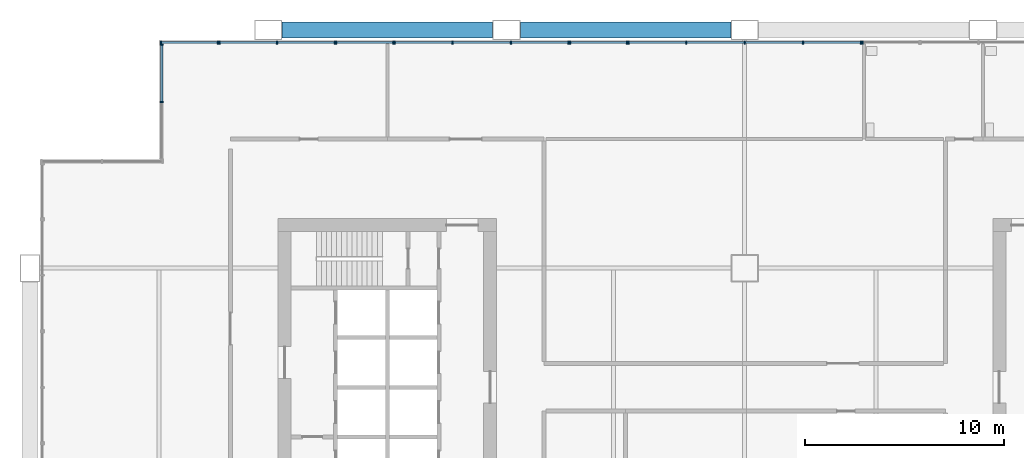
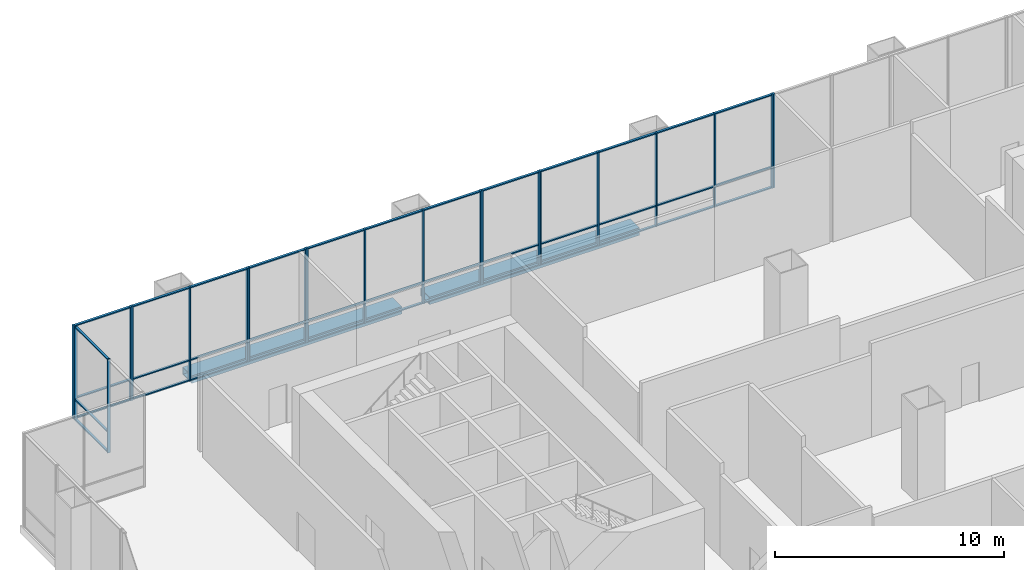
# One storey, part 8 of 20: 60 members, 2 beams, 8 elements without a shape of their own.
"""IFC4 building model written with IfcOpenShell, lengths in metres."""

from ifc_helpers import new_model, si_unit, direction, frame, origin, origin_2d, place, context, subcontext, project, spatial, rectangle, hollow_rectangle, extrude, material, material_profile, profile_set, type_object, element, aggregate, save


model = new_model("IFC4")

# Units and contexts
model_context = context("Model", 3, precision=1e-05, world=origin(), true_north=direction((0.0, 1.0)))
body_context = subcontext(model_context, "Body", "Model", "MODEL_VIEW")
ifc_project = project(units=[si_unit("LENGTHUNIT", "METRE"), si_unit("AREAUNIT", "SQUARE_METRE"), si_unit("VOLUMEUNIT", "CUBIC_METRE"), si_unit("PLANEANGLEUNIT", "RADIAN"), si_unit("MASSUNIT", "GRAM", prefix="KILO")], contexts=[model_context])

# Site, building, storey
site_placement = place(None, origin())
site = spatial("IfcSite", under=ifc_project, at=site_placement, CompositionType="ELEMENT")
building_placement = place(site_placement, origin())
building = spatial("IfcBuilding", under=site, at=building_placement, Name="Kitamizu Gate Tower and Museum", CompositionType="ELEMENT")
storey_placement = place(building_placement, frame((0.0, 0.0, 148.35009765625)))
storey = spatial("IfcBuildingStorey", under=building, at=storey_placement, Name="L39", CompositionType="ELEMENT", Elevation=148.35009765625)

# Beams
ifc_material_1 = material(Name="Steel SM490A bronze coated", Category="steel")
ifc_material_profile_1 = material_profile(ifc_material_1, hollow_rectangle(XDim=0.800048828125, YDim=0.39990234375, WallThickness=0.0400390625, at=origin_2d()), Name="BOX 800x400x40")
ifc_profile_set_1 = profile_set([ifc_material_profile_1], Name="Steel SM490A bronze coated")
beam_type = type_object("IfcBeamType", Name="Exoskeleton spandrel beam SB1 BOX 800x400x40", PredefinedType="SPANDREL", material=ifc_profile_set_1)
for number, where, z_axis, x_axis, name in (
    (1, (12.699951171875, 48.0, -0.2001953125), (1.0, 0.0, 0.0), (0.0, 1.0, 0.0), "Exoskeleton spandrel beam north 12 L39"),
    (2, (24.699951171875, 48.0, -0.2001953125), (1.0, 0.0, 0.0), (0.0, 1.0, 0.0), "Exoskeleton spandrel beam north 24 L39"),
):
    element("IfcBeam", number, at=place(storey_placement, frame(where, z_axis=z_axis, x_axis=x_axis)), inside=storey, type_object=beam_type, Name=name, PredefinedType="SPANDREL", context=body_context, shape_type="SweptSolid", body=[
        extrude(hollow_rectangle(XDim=0.800048828125, YDim=0.39990234375, WallThickness=0.0400390625, at=origin_2d()), origin(), (0.0, 0.0, 1.0), 10.60009765625),
    ])

# Curtain wall, members
ifc_material_2 = material(Name="Bronze anodised aluminium frame, tinted triple glazing", Category="aluminium")
curtain_wall_type_1 = type_object("IfcCurtainWallType", Name="CURTAIN WALL TYPE B SKY LOBBY", PredefinedType="NOTDEFINED", material=ifc_material_2)
curtain_wall_1_placement = place(storey_placement, origin())
curtain_wall_1 = element("IfcCurtainWall", 3, at=curtain_wall_1_placement, inside=storey, type_object=curtain_wall_type_1, Name="Curtain wall CW-B north L39 part 1", PredefinedType="NOTDEFINED")
ifc_material_3 = material(Name="Bronze anodised aluminium", Category="aluminium")
ifc_material_profile_2 = material_profile(ifc_material_3, rectangle(XDim=0.070068359375, YDim=0.14990234375, at=origin_2d()), Name="AL 70X150")
ifc_profile_set_2 = profile_set([ifc_material_profile_2], Name="Bronze anodised aluminium")
member_type_1 = type_object("IfcMemberType", Name="MULLION 70 X 150 TYPE B", PredefinedType="MULLION", material=ifc_profile_set_2)
member_1_placement = place(storey_placement, frame((6.594970703125, 47.364990234375, 0.0), z_axis=(0.0, 0.0, 1.0), x_axis=(1.0, 0.0, 0.0)))
member_1 = element("IfcMember", 4, at=member_1_placement, type_object=member_type_1, Name="CW-B mullion 1", PredefinedType="MULLION", context=body_context, shape_type="SweptSolid", body=[
    extrude(rectangle(XDim=0.070068359375, YDim=0.14990234375, at=origin_2d()), origin(), (0.0, 0.0, 1.0), 5.0),
])
member_2_placement = place(storey_placement, frame((9.468994140625, 47.364990234375, 0.0), z_axis=(0.0, 0.0, 1.0), x_axis=(1.0, 0.0, 0.0)))
member_2 = element("IfcMember", 5, at=member_2_placement, type_object=member_type_1, Name="CW-B mullion 2", PredefinedType="MULLION", context=body_context, shape_type="SweptSolid", body=[
    extrude(rectangle(XDim=0.070068359375, YDim=0.14990234375, at=origin_2d()), origin(), (0.0, 0.0, 1.0), 5.0),
])

ifc_material_4 = material(Name="Bronze anodised aluminium frame, insulated panels", Category="aluminium")
curtain_wall_type_2 = type_object("IfcCurtainWallType", Name="CURTAIN WALL TYPE B SKY LOBBY INSULATED", PredefinedType="NOTDEFINED", material=ifc_material_4)
curtain_wall_2_placement = place(storey_placement, origin())
curtain_wall_2 = element("IfcCurtainWall", 6, at=curtain_wall_2_placement, inside=storey, type_object=curtain_wall_type_2, Name="Curtain wall CW-BI north L39 part 2", PredefinedType="NOTDEFINED")
member_3_placement = place(storey_placement, frame((9.5390625, 47.364990234375, 0.0), z_axis=(0.0, 0.0, 1.0), x_axis=(1.0, 0.0, 0.0)))
member_3 = element("IfcMember", 7, at=member_3_placement, type_object=member_type_1, Name="CW-BI mullion 1", PredefinedType="MULLION", context=body_context, shape_type="SweptSolid", body=[
    extrude(rectangle(XDim=0.070068359375, YDim=0.14990234375, at=origin_2d()), origin(), (0.0, 0.0, 1.0), 5.0),
])
member_4_placement = place(storey_placement, frame((12.447998046875, 47.364990234375, 0.0), z_axis=(0.0, 0.0, 1.0), x_axis=(1.0, 0.0, 0.0)))
member_4 = element("IfcMember", 8, at=member_4_placement, type_object=member_type_1, Name="CW-BI mullion 2", PredefinedType="MULLION", context=body_context, shape_type="SweptSolid", body=[
    extrude(rectangle(XDim=0.070068359375, YDim=0.14990234375, at=origin_2d()), origin(), (0.0, 0.0, 1.0), 5.0),
])
member_5_placement = place(storey_placement, frame((15.35693359375, 47.364990234375, 0.0), z_axis=(0.0, 0.0, 1.0), x_axis=(1.0, 0.0, 0.0)))
member_5 = element("IfcMember", 9, at=member_5_placement, type_object=member_type_1, Name="CW-BI mullion 3", PredefinedType="MULLION", context=body_context, shape_type="SweptSolid", body=[
    extrude(rectangle(XDim=0.070068359375, YDim=0.14990234375, at=origin_2d()), origin(), (0.0, 0.0, 1.0), 5.0),
])

curtain_wall_3_placement = place(storey_placement, origin())
curtain_wall_3 = element("IfcCurtainWall", 10, at=curtain_wall_3_placement, inside=storey, type_object=curtain_wall_type_1, Name="Curtain wall CW-B north L39 part 3", PredefinedType="NOTDEFINED")
member_6_placement = place(storey_placement, frame((15.427001953125, 47.364990234375, 0.0), z_axis=(0.0, 0.0, 1.0), x_axis=(1.0, 0.0, 0.0)))
member_6 = element("IfcMember", 11, at=member_6_placement, type_object=member_type_1, Name="CW-B mullion 1", PredefinedType="MULLION", context=body_context, shape_type="SweptSolid", body=[
    extrude(rectangle(XDim=0.070068359375, YDim=0.14990234375, at=origin_2d()), origin(), (0.0, 0.0, 1.0), 5.0),
])
member_7_placement = place(storey_placement, frame((18.301025390625, 47.364990234375, 0.0), z_axis=(0.0, 0.0, 1.0), x_axis=(1.0, 0.0, 0.0)))
member_7 = element("IfcMember", 12, at=member_7_placement, type_object=member_type_1, Name="CW-B mullion 2", PredefinedType="MULLION", context=body_context, shape_type="SweptSolid", body=[
    extrude(rectangle(XDim=0.070068359375, YDim=0.14990234375, at=origin_2d()), origin(), (0.0, 0.0, 1.0), 5.0),
])

curtain_wall_4_placement = place(storey_placement, origin())
curtain_wall_4 = element("IfcCurtainWall", 13, at=curtain_wall_4_placement, inside=storey, type_object=curtain_wall_type_2, Name="Curtain wall CW-BI north L39 part 4", PredefinedType="NOTDEFINED")
member_8_placement = place(storey_placement, frame((18.37109375, 47.364990234375, 0.0), z_axis=(0.0, 0.0, 1.0), x_axis=(1.0, 0.0, 0.0)))
member_8 = element("IfcMember", 14, at=member_8_placement, type_object=member_type_1, Name="CW-BI mullion 1", PredefinedType="MULLION", context=body_context, shape_type="SweptSolid", body=[
    extrude(rectangle(XDim=0.070068359375, YDim=0.14990234375, at=origin_2d()), origin(), (0.0, 0.0, 1.0), 5.0),
])
member_9_placement = place(storey_placement, frame((21.280029296875, 47.364990234375, 0.0), z_axis=(0.0, 0.0, 1.0), x_axis=(1.0, 0.0, 0.0)))
member_9 = element("IfcMember", 15, at=member_9_placement, type_object=member_type_1, Name="CW-BI mullion 2", PredefinedType="MULLION", context=body_context, shape_type="SweptSolid", body=[
    extrude(rectangle(XDim=0.070068359375, YDim=0.14990234375, at=origin_2d()), origin(), (0.0, 0.0, 1.0), 5.0),
])
member_10_placement = place(storey_placement, frame((24.22412109375, 47.364990234375, 0.0), z_axis=(0.0, 0.0, 1.0), x_axis=(1.0, 0.0, 0.0)))
member_10 = element("IfcMember", 16, at=member_10_placement, type_object=member_type_1, Name="CW-BI mullion 3", PredefinedType="MULLION", context=body_context, shape_type="SweptSolid", body=[
    extrude(rectangle(XDim=0.070068359375, YDim=0.14990234375, at=origin_2d()), origin(), (0.0, 0.0, 1.0), 5.0),
])
member_11_placement = place(storey_placement, frame((27.133056640625, 47.364990234375, 0.0), z_axis=(0.0, 0.0, 1.0), x_axis=(1.0, 0.0, 0.0)))
member_11 = element("IfcMember", 17, at=member_11_placement, type_object=member_type_1, Name="CW-BI mullion 4", PredefinedType="MULLION", context=body_context, shape_type="SweptSolid", body=[
    extrude(rectangle(XDim=0.070068359375, YDim=0.14990234375, at=origin_2d()), origin(), (0.0, 0.0, 1.0), 5.0),
])

curtain_wall_5_placement = place(storey_placement, origin())
curtain_wall_5 = element("IfcCurtainWall", 18, at=curtain_wall_5_placement, inside=storey, type_object=curtain_wall_type_1, Name="Curtain wall CW-B north L39 part 5", PredefinedType="NOTDEFINED")
member_12_placement = place(storey_placement, frame((27.202880859375, 47.364990234375, 0.0), z_axis=(0.0, 0.0, 1.0), x_axis=(1.0, 0.0, 0.0)))
member_12 = element("IfcMember", 19, at=member_12_placement, type_object=member_type_1, Name="CW-B mullion 1", PredefinedType="MULLION", context=body_context, shape_type="SweptSolid", body=[
    extrude(rectangle(XDim=0.070068359375, YDim=0.14990234375, at=origin_2d()), origin(), (0.0, 0.0, 1.0), 5.0),
])
member_13_placement = place(storey_placement, frame((30.076904296875, 47.364990234375, 0.0), z_axis=(0.0, 0.0, 1.0), x_axis=(1.0, 0.0, 0.0)))
member_13 = element("IfcMember", 20, at=member_13_placement, type_object=member_type_1, Name="CW-B mullion 2", PredefinedType="MULLION", context=body_context, shape_type="SweptSolid", body=[
    extrude(rectangle(XDim=0.070068359375, YDim=0.14990234375, at=origin_2d()), origin(), (0.0, 0.0, 1.0), 5.0),
])

curtain_wall_6_placement = place(storey_placement, origin())
curtain_wall_6 = element("IfcCurtainWall", 21, at=curtain_wall_6_placement, inside=storey, type_object=curtain_wall_type_2, Name="Curtain wall CW-BI north L39 part 6", PredefinedType="NOTDEFINED")
member_14_placement = place(storey_placement, frame((30.14697265625, 47.364990234375, 0.0), z_axis=(0.0, 0.0, 1.0), x_axis=(1.0, 0.0, 0.0)))
member_14 = element("IfcMember", 22, at=member_14_placement, type_object=member_type_1, Name="CW-BI mullion 1", PredefinedType="MULLION", context=body_context, shape_type="SweptSolid", body=[
    extrude(rectangle(XDim=0.070068359375, YDim=0.14990234375, at=origin_2d()), origin(), (0.0, 0.0, 1.0), 5.0),
])
member_15_placement = place(storey_placement, frame((33.055908203125, 47.364990234375, 0.0), z_axis=(0.0, 0.0, 1.0), x_axis=(1.0, 0.0, 0.0)))
member_15 = element("IfcMember", 23, at=member_15_placement, type_object=member_type_1, Name="CW-BI mullion 2", PredefinedType="MULLION", context=body_context, shape_type="SweptSolid", body=[
    extrude(rectangle(XDim=0.070068359375, YDim=0.14990234375, at=origin_2d()), origin(), (0.0, 0.0, 1.0), 5.0),
])
member_16_placement = place(storey_placement, frame((36.0, 47.364990234375, 0.0), z_axis=(0.0, 0.0, 1.0), x_axis=(1.0, 0.0, 0.0)))
member_16 = element("IfcMember", 24, at=member_16_placement, type_object=member_type_1, Name="CW-BI mullion 3", PredefinedType="MULLION", context=body_context, shape_type="SweptSolid", body=[
    extrude(rectangle(XDim=0.070068359375, YDim=0.14990234375, at=origin_2d()), origin(), (0.0, 0.0, 1.0), 5.0),
])
member_17_placement = place(storey_placement, frame((38.944091796875, 47.364990234375, 0.0), z_axis=(0.0, 0.0, 1.0), x_axis=(1.0, 0.0, 0.0)))
member_17 = element("IfcMember", 25, at=member_17_placement, type_object=member_type_1, Name="CW-BI mullion 4", PredefinedType="MULLION", context=body_context, shape_type="SweptSolid", body=[
    extrude(rectangle(XDim=0.070068359375, YDim=0.14990234375, at=origin_2d()), origin(), (0.0, 0.0, 1.0), 5.0),
])
member_18_placement = place(storey_placement, frame((41.85302734375, 47.364990234375, 0.0), z_axis=(0.0, 0.0, 1.0), x_axis=(1.0, 0.0, 0.0)))
member_18 = element("IfcMember", 26, at=member_18_placement, type_object=member_type_1, Name="CW-BI mullion 5", PredefinedType="MULLION", context=body_context, shape_type="SweptSolid", body=[
    extrude(rectangle(XDim=0.070068359375, YDim=0.14990234375, at=origin_2d()), origin(), (0.0, 0.0, 1.0), 5.0),
])

# Curtain wall, member
curtain_wall_7_placement = place(storey_placement, origin())
curtain_wall_7 = element("IfcCurtainWall", 27, at=curtain_wall_7_placement, inside=storey, type_object=curtain_wall_type_1, Name="Curtain wall CW-B north L39 part 7", PredefinedType="NOTDEFINED")
member_19_placement = place(storey_placement, frame((41.923095703125, 47.364990234375, 0.0), z_axis=(0.0, 0.0, 1.0), x_axis=(1.0, 0.0, 0.0)))
member_19 = element("IfcMember", 28, at=member_19_placement, type_object=member_type_1, Name="CW-B mullion 1", PredefinedType="MULLION", context=body_context, shape_type="SweptSolid", body=[
    extrude(rectangle(XDim=0.070068359375, YDim=0.14990234375, at=origin_2d()), origin(), (0.0, 0.0, 1.0), 5.0),
])
aggregate(curtain_wall_7, [member_19])

# Curtain wall, members
curtain_wall_8_placement = place(storey_placement, origin())
curtain_wall_8 = element("IfcCurtainWall", 29, at=curtain_wall_8_placement, inside=storey, type_object=curtain_wall_type_1, Name="Curtain wall CW-B west L39", PredefinedType="NOTDEFINED")
member_20_placement = place(storey_placement, frame((6.635009765625, 44.364990234375, 0.0), z_axis=(0.0, 0.0, 1.0), x_axis=(0.0, 1.0, 0.0)))
member_20 = element("IfcMember", 30, at=member_20_placement, type_object=member_type_1, Name="CW-B mullion 2", PredefinedType="MULLION", context=body_context, shape_type="SweptSolid", body=[
    extrude(rectangle(XDim=0.070068359375, YDim=0.14990234375, at=origin_2d()), origin(), (0.0, 0.0, 1.0), 5.0),
])
member_21_placement = place(storey_placement, frame((6.635009765625, 47.2548828125, 0.0), z_axis=(0.0, 0.0, 1.0), x_axis=(0.0, 1.0, 0.0)))
member_21 = element("IfcMember", 31, at=member_21_placement, type_object=member_type_1, Name="CW-B mullion 3", PredefinedType="MULLION", context=body_context, shape_type="SweptSolid", body=[
    extrude(rectangle(XDim=0.070068359375, YDim=0.14990234375, at=origin_2d()), origin(), (0.0, 0.0, 1.0), 5.0),
])

# Member
ifc_material_5 = material(Name="Bronze anodised aluminium", Category="aluminium")
ifc_material_profile_3 = material_profile(ifc_material_5, rectangle(XDim=0.1201171875, YDim=0.06005859375, at=origin_2d()), Name="AL 60X120")
ifc_profile_set_3 = profile_set([ifc_material_profile_3], Name="Bronze anodised aluminium")
member_type_2 = type_object("IfcMemberType", Name="TRANSOM 60 X 120 TYPE B", PredefinedType="USERDEFINED", material=ifc_profile_set_3)
member_22_placement = place(storey_placement, frame((6.6298828125, 47.364990234375, 0.02978515625), z_axis=(1.0, 0.0, 0.0), x_axis=(0.0, 1.0, 0.0)))
member_22 = element("IfcMember", 32, at=member_22_placement, type_object=member_type_2, Name="CW-B transom 1.1", ObjectType="TRANSOM", PredefinedType="USERDEFINED", context=body_context, shape_type="SweptSolid", body=[
    extrude(rectangle(XDim=0.1201171875, YDim=0.06005859375, at=origin_2d()), origin(), (0.0, 0.0, 1.0), 2.80419921875),
])

member_23_placement = place(storey_placement, frame((6.6298828125, 47.364990234375, 1.099853515625), z_axis=(1.0, 0.0, 0.0), x_axis=(0.0, 1.0, 0.0)))
member_23 = element("IfcMember", 33, at=member_23_placement, type_object=member_type_2, Name="CW-B transom 1.2", ObjectType="TRANSOM", PredefinedType="USERDEFINED", context=body_context, shape_type="SweptSolid", body=[
    extrude(rectangle(XDim=0.1201171875, YDim=0.06005859375, at=origin_2d()), origin(), (0.0, 0.0, 1.0), 2.80419921875),
])

member_24_placement = place(storey_placement, frame((6.6298828125, 47.364990234375, 4.969970703125), z_axis=(1.0, 0.0, 0.0), x_axis=(0.0, 1.0, 0.0)))
member_24 = element("IfcMember", 34, at=member_24_placement, type_object=member_type_2, Name="CW-B transom 1.3", ObjectType="TRANSOM", PredefinedType="USERDEFINED", context=body_context, shape_type="SweptSolid", body=[
    extrude(rectangle(XDim=0.1201171875, YDim=0.06005859375, at=origin_2d()), origin(), (0.0, 0.0, 1.0), 2.80419921875),
])

aggregate(curtain_wall_1, [member_1, member_2, member_22, member_23, member_24])

member_25_placement = place(storey_placement, frame((9.573974609375, 47.364990234375, 0.02978515625), z_axis=(1.0, 0.0, 0.0), x_axis=(0.0, 1.0, 0.0)))
member_25 = element("IfcMember", 35, at=member_25_placement, type_object=member_type_2, Name="CW-BI transom 1.1", ObjectType="TRANSOM", PredefinedType="USERDEFINED", context=body_context, shape_type="SweptSolid", body=[
    extrude(rectangle(XDim=0.1201171875, YDim=0.06005859375, at=origin_2d()), origin(), (0.0, 0.0, 1.0), 2.839111328125),
])

member_26_placement = place(storey_placement, frame((9.573974609375, 47.364990234375, 1.099853515625), z_axis=(1.0, 0.0, 0.0), x_axis=(0.0, 1.0, 0.0)))
member_26 = element("IfcMember", 36, at=member_26_placement, type_object=member_type_2, Name="CW-BI transom 1.2", ObjectType="TRANSOM", PredefinedType="USERDEFINED", context=body_context, shape_type="SweptSolid", body=[
    extrude(rectangle(XDim=0.1201171875, YDim=0.06005859375, at=origin_2d()), origin(), (0.0, 0.0, 1.0), 2.839111328125),
])

member_27_placement = place(storey_placement, frame((9.573974609375, 47.364990234375, 4.969970703125), z_axis=(1.0, 0.0, 0.0), x_axis=(0.0, 1.0, 0.0)))
member_27 = element("IfcMember", 37, at=member_27_placement, type_object=member_type_2, Name="CW-BI transom 1.3", ObjectType="TRANSOM", PredefinedType="USERDEFINED", context=body_context, shape_type="SweptSolid", body=[
    extrude(rectangle(XDim=0.1201171875, YDim=0.06005859375, at=origin_2d()), origin(), (0.0, 0.0, 1.0), 2.839111328125),
])

member_28_placement = place(storey_placement, frame((12.48291015625, 47.364990234375, 0.02978515625), z_axis=(1.0, 0.0, 0.0), x_axis=(0.0, 1.0, 0.0)))
member_28 = element("IfcMember", 38, at=member_28_placement, type_object=member_type_2, Name="CW-BI transom 2.1", ObjectType="TRANSOM", PredefinedType="USERDEFINED", context=body_context, shape_type="SweptSolid", body=[
    extrude(rectangle(XDim=0.1201171875, YDim=0.06005859375, at=origin_2d()), origin(), (0.0, 0.0, 1.0), 2.839111328125),
])

member_29_placement = place(storey_placement, frame((12.48291015625, 47.364990234375, 1.099853515625), z_axis=(1.0, 0.0, 0.0), x_axis=(0.0, 1.0, 0.0)))
member_29 = element("IfcMember", 39, at=member_29_placement, type_object=member_type_2, Name="CW-BI transom 2.2", ObjectType="TRANSOM", PredefinedType="USERDEFINED", context=body_context, shape_type="SweptSolid", body=[
    extrude(rectangle(XDim=0.1201171875, YDim=0.06005859375, at=origin_2d()), origin(), (0.0, 0.0, 1.0), 2.839111328125),
])

member_30_placement = place(storey_placement, frame((12.48291015625, 47.364990234375, 4.969970703125), z_axis=(1.0, 0.0, 0.0), x_axis=(0.0, 1.0, 0.0)))
member_30 = element("IfcMember", 40, at=member_30_placement, type_object=member_type_2, Name="CW-BI transom 2.3", ObjectType="TRANSOM", PredefinedType="USERDEFINED", context=body_context, shape_type="SweptSolid", body=[
    extrude(rectangle(XDim=0.1201171875, YDim=0.06005859375, at=origin_2d()), origin(), (0.0, 0.0, 1.0), 2.839111328125),
])

aggregate(curtain_wall_2, [member_3, member_4, member_5, member_25, member_26, member_27, member_28, member_29, member_30])

member_31_placement = place(storey_placement, frame((15.4619140625, 47.364990234375, 0.02978515625), z_axis=(1.0, 0.0, 0.0), x_axis=(0.0, 1.0, 0.0)))
member_31 = element("IfcMember", 41, at=member_31_placement, type_object=member_type_2, Name="CW-B transom 1.1", ObjectType="TRANSOM", PredefinedType="USERDEFINED", context=body_context, shape_type="SweptSolid", body=[
    extrude(rectangle(XDim=0.1201171875, YDim=0.06005859375, at=origin_2d()), origin(), (0.0, 0.0, 1.0), 2.80419921875),
])

member_32_placement = place(storey_placement, frame((15.4619140625, 47.364990234375, 1.099853515625), z_axis=(1.0, 0.0, 0.0), x_axis=(0.0, 1.0, 0.0)))
member_32 = element("IfcMember", 42, at=member_32_placement, type_object=member_type_2, Name="CW-B transom 1.2", ObjectType="TRANSOM", PredefinedType="USERDEFINED", context=body_context, shape_type="SweptSolid", body=[
    extrude(rectangle(XDim=0.1201171875, YDim=0.06005859375, at=origin_2d()), origin(), (0.0, 0.0, 1.0), 2.80419921875),
])

member_33_placement = place(storey_placement, frame((15.4619140625, 47.364990234375, 4.969970703125), z_axis=(1.0, 0.0, 0.0), x_axis=(0.0, 1.0, 0.0)))
member_33 = element("IfcMember", 43, at=member_33_placement, type_object=member_type_2, Name="CW-B transom 1.3", ObjectType="TRANSOM", PredefinedType="USERDEFINED", context=body_context, shape_type="SweptSolid", body=[
    extrude(rectangle(XDim=0.1201171875, YDim=0.06005859375, at=origin_2d()), origin(), (0.0, 0.0, 1.0), 2.80419921875),
])

aggregate(curtain_wall_3, [member_6, member_7, member_31, member_32, member_33])

member_34_placement = place(storey_placement, frame((18.406005859375, 47.364990234375, 0.02978515625), z_axis=(1.0, 0.0, 0.0), x_axis=(0.0, 1.0, 0.0)))
member_34 = element("IfcMember", 44, at=member_34_placement, type_object=member_type_2, Name="CW-BI transom 1.1", ObjectType="TRANSOM", PredefinedType="USERDEFINED", context=body_context, shape_type="SweptSolid", body=[
    extrude(rectangle(XDim=0.1201171875, YDim=0.06005859375, at=origin_2d()), origin(), (0.0, 0.0, 1.0), 2.839111328125),
])

member_35_placement = place(storey_placement, frame((18.406005859375, 47.364990234375, 1.099853515625), z_axis=(1.0, 0.0, 0.0), x_axis=(0.0, 1.0, 0.0)))
member_35 = element("IfcMember", 45, at=member_35_placement, type_object=member_type_2, Name="CW-BI transom 1.2", ObjectType="TRANSOM", PredefinedType="USERDEFINED", context=body_context, shape_type="SweptSolid", body=[
    extrude(rectangle(XDim=0.1201171875, YDim=0.06005859375, at=origin_2d()), origin(), (0.0, 0.0, 1.0), 2.839111328125),
])

member_36_placement = place(storey_placement, frame((18.406005859375, 47.364990234375, 4.969970703125), z_axis=(1.0, 0.0, 0.0), x_axis=(0.0, 1.0, 0.0)))
member_36 = element("IfcMember", 46, at=member_36_placement, type_object=member_type_2, Name="CW-BI transom 1.3", ObjectType="TRANSOM", PredefinedType="USERDEFINED", context=body_context, shape_type="SweptSolid", body=[
    extrude(rectangle(XDim=0.1201171875, YDim=0.06005859375, at=origin_2d()), origin(), (0.0, 0.0, 1.0), 2.839111328125),
])

member_37_placement = place(storey_placement, frame((21.31494140625, 47.364990234375, 0.02978515625), z_axis=(1.0, 0.0, 0.0), x_axis=(0.0, 1.0, 0.0)))
member_37 = element("IfcMember", 47, at=member_37_placement, type_object=member_type_2, Name="CW-BI transom 2.1", ObjectType="TRANSOM", PredefinedType="USERDEFINED", context=body_context, shape_type="SweptSolid", body=[
    extrude(rectangle(XDim=0.1201171875, YDim=0.06005859375, at=origin_2d()), origin(), (0.0, 0.0, 1.0), 2.8740234375),
])

member_38_placement = place(storey_placement, frame((21.31494140625, 47.364990234375, 1.099853515625), z_axis=(1.0, 0.0, 0.0), x_axis=(0.0, 1.0, 0.0)))
member_38 = element("IfcMember", 48, at=member_38_placement, type_object=member_type_2, Name="CW-BI transom 2.2", ObjectType="TRANSOM", PredefinedType="USERDEFINED", context=body_context, shape_type="SweptSolid", body=[
    extrude(rectangle(XDim=0.1201171875, YDim=0.06005859375, at=origin_2d()), origin(), (0.0, 0.0, 1.0), 2.8740234375),
])

member_39_placement = place(storey_placement, frame((21.31494140625, 47.364990234375, 4.969970703125), z_axis=(1.0, 0.0, 0.0), x_axis=(0.0, 1.0, 0.0)))
member_39 = element("IfcMember", 49, at=member_39_placement, type_object=member_type_2, Name="CW-BI transom 2.3", ObjectType="TRANSOM", PredefinedType="USERDEFINED", context=body_context, shape_type="SweptSolid", body=[
    extrude(rectangle(XDim=0.1201171875, YDim=0.06005859375, at=origin_2d()), origin(), (0.0, 0.0, 1.0), 2.8740234375),
])

member_40_placement = place(storey_placement, frame((24.259033203125, 47.364990234375, 0.02978515625), z_axis=(1.0, 0.0, 0.0), x_axis=(0.0, 1.0, 0.0)))
member_40 = element("IfcMember", 50, at=member_40_placement, type_object=member_type_2, Name="CW-BI transom 3.1", ObjectType="TRANSOM", PredefinedType="USERDEFINED", context=body_context, shape_type="SweptSolid", body=[
    extrude(rectangle(XDim=0.1201171875, YDim=0.06005859375, at=origin_2d()), origin(), (0.0, 0.0, 1.0), 2.8388671875),
])

member_41_placement = place(storey_placement, frame((24.259033203125, 47.364990234375, 1.099853515625), z_axis=(1.0, 0.0, 0.0), x_axis=(0.0, 1.0, 0.0)))
member_41 = element("IfcMember", 51, at=member_41_placement, type_object=member_type_2, Name="CW-BI transom 3.2", ObjectType="TRANSOM", PredefinedType="USERDEFINED", context=body_context, shape_type="SweptSolid", body=[
    extrude(rectangle(XDim=0.1201171875, YDim=0.06005859375, at=origin_2d()), origin(), (0.0, 0.0, 1.0), 2.8388671875),
])

member_42_placement = place(storey_placement, frame((24.259033203125, 47.364990234375, 4.969970703125), z_axis=(1.0, 0.0, 0.0), x_axis=(0.0, 1.0, 0.0)))
member_42 = element("IfcMember", 52, at=member_42_placement, type_object=member_type_2, Name="CW-BI transom 3.3", ObjectType="TRANSOM", PredefinedType="USERDEFINED", context=body_context, shape_type="SweptSolid", body=[
    extrude(rectangle(XDim=0.1201171875, YDim=0.06005859375, at=origin_2d()), origin(), (0.0, 0.0, 1.0), 2.8388671875),
])

aggregate(curtain_wall_4, [member_8, member_9, member_10, member_11, member_34, member_35, member_36, member_37, member_38, member_39, member_40, member_41, member_42])

member_43_placement = place(storey_placement, frame((27.238037109375, 47.364990234375, 0.02978515625), z_axis=(1.0, 0.0, 0.0), x_axis=(0.0, 1.0, 0.0)))
member_43 = element("IfcMember", 53, at=member_43_placement, type_object=member_type_2, Name="CW-B transom 1.1", ObjectType="TRANSOM", PredefinedType="USERDEFINED", context=body_context, shape_type="SweptSolid", body=[
    extrude(rectangle(XDim=0.1201171875, YDim=0.06005859375, at=origin_2d()), origin(), (0.0, 0.0, 1.0), 2.803955078125),
])

member_44_placement = place(storey_placement, frame((27.238037109375, 47.364990234375, 1.099853515625), z_axis=(1.0, 0.0, 0.0), x_axis=(0.0, 1.0, 0.0)))
member_44 = element("IfcMember", 54, at=member_44_placement, type_object=member_type_2, Name="CW-B transom 1.2", ObjectType="TRANSOM", PredefinedType="USERDEFINED", context=body_context, shape_type="SweptSolid", body=[
    extrude(rectangle(XDim=0.1201171875, YDim=0.06005859375, at=origin_2d()), origin(), (0.0, 0.0, 1.0), 2.803955078125),
])

member_45_placement = place(storey_placement, frame((27.238037109375, 47.364990234375, 4.969970703125), z_axis=(1.0, 0.0, 0.0), x_axis=(0.0, 1.0, 0.0)))
member_45 = element("IfcMember", 55, at=member_45_placement, type_object=member_type_2, Name="CW-B transom 1.3", ObjectType="TRANSOM", PredefinedType="USERDEFINED", context=body_context, shape_type="SweptSolid", body=[
    extrude(rectangle(XDim=0.1201171875, YDim=0.06005859375, at=origin_2d()), origin(), (0.0, 0.0, 1.0), 2.803955078125),
])

aggregate(curtain_wall_5, [member_12, member_13, member_43, member_44, member_45])

member_46_placement = place(storey_placement, frame((30.181884765625, 47.364990234375, 0.02978515625), z_axis=(1.0, 0.0, 0.0), x_axis=(0.0, 1.0, 0.0)))
member_46 = element("IfcMember", 56, at=member_46_placement, type_object=member_type_2, Name="CW-BI transom 1.1", ObjectType="TRANSOM", PredefinedType="USERDEFINED", context=body_context, shape_type="SweptSolid", body=[
    extrude(rectangle(XDim=0.1201171875, YDim=0.06005859375, at=origin_2d()), origin(), (0.0, 0.0, 1.0), 2.839111328125),
])

member_47_placement = place(storey_placement, frame((30.181884765625, 47.364990234375, 1.099853515625), z_axis=(1.0, 0.0, 0.0), x_axis=(0.0, 1.0, 0.0)))
member_47 = element("IfcMember", 57, at=member_47_placement, type_object=member_type_2, Name="CW-BI transom 1.2", ObjectType="TRANSOM", PredefinedType="USERDEFINED", context=body_context, shape_type="SweptSolid", body=[
    extrude(rectangle(XDim=0.1201171875, YDim=0.06005859375, at=origin_2d()), origin(), (0.0, 0.0, 1.0), 2.839111328125),
])

member_48_placement = place(storey_placement, frame((30.181884765625, 47.364990234375, 4.969970703125), z_axis=(1.0, 0.0, 0.0), x_axis=(0.0, 1.0, 0.0)))
member_48 = element("IfcMember", 58, at=member_48_placement, type_object=member_type_2, Name="CW-BI transom 1.3", ObjectType="TRANSOM", PredefinedType="USERDEFINED", context=body_context, shape_type="SweptSolid", body=[
    extrude(rectangle(XDim=0.1201171875, YDim=0.06005859375, at=origin_2d()), origin(), (0.0, 0.0, 1.0), 2.839111328125),
])

member_49_placement = place(storey_placement, frame((33.091064453125, 47.364990234375, 0.02978515625), z_axis=(1.0, 0.0, 0.0), x_axis=(0.0, 1.0, 0.0)))
member_49 = element("IfcMember", 59, at=member_49_placement, type_object=member_type_2, Name="CW-BI transom 2.1", ObjectType="TRANSOM", PredefinedType="USERDEFINED", context=body_context, shape_type="SweptSolid", body=[
    extrude(rectangle(XDim=0.1201171875, YDim=0.06005859375, at=origin_2d()), origin(), (0.0, 0.0, 1.0), 2.8740234375),
])

member_50_placement = place(storey_placement, frame((33.091064453125, 47.364990234375, 1.099853515625), z_axis=(1.0, 0.0, 0.0), x_axis=(0.0, 1.0, 0.0)))
member_50 = element("IfcMember", 60, at=member_50_placement, type_object=member_type_2, Name="CW-BI transom 2.2", ObjectType="TRANSOM", PredefinedType="USERDEFINED", context=body_context, shape_type="SweptSolid", body=[
    extrude(rectangle(XDim=0.1201171875, YDim=0.06005859375, at=origin_2d()), origin(), (0.0, 0.0, 1.0), 2.8740234375),
])

member_51_placement = place(storey_placement, frame((33.091064453125, 47.364990234375, 4.969970703125), z_axis=(1.0, 0.0, 0.0), x_axis=(0.0, 1.0, 0.0)))
member_51 = element("IfcMember", 61, at=member_51_placement, type_object=member_type_2, Name="CW-BI transom 2.3", ObjectType="TRANSOM", PredefinedType="USERDEFINED", context=body_context, shape_type="SweptSolid", body=[
    extrude(rectangle(XDim=0.1201171875, YDim=0.06005859375, at=origin_2d()), origin(), (0.0, 0.0, 1.0), 2.8740234375),
])

member_52_placement = place(storey_placement, frame((36.034912109375, 47.364990234375, 0.02978515625), z_axis=(1.0, 0.0, 0.0), x_axis=(0.0, 1.0, 0.0)))
member_52 = element("IfcMember", 62, at=member_52_placement, type_object=member_type_2, Name="CW-BI transom 3.1", ObjectType="TRANSOM", PredefinedType="USERDEFINED", context=body_context, shape_type="SweptSolid", body=[
    extrude(rectangle(XDim=0.1201171875, YDim=0.06005859375, at=origin_2d()), origin(), (0.0, 0.0, 1.0), 2.8740234375),
])

member_53_placement = place(storey_placement, frame((36.034912109375, 47.364990234375, 1.099853515625), z_axis=(1.0, 0.0, 0.0), x_axis=(0.0, 1.0, 0.0)))
member_53 = element("IfcMember", 63, at=member_53_placement, type_object=member_type_2, Name="CW-BI transom 3.2", ObjectType="TRANSOM", PredefinedType="USERDEFINED", context=body_context, shape_type="SweptSolid", body=[
    extrude(rectangle(XDim=0.1201171875, YDim=0.06005859375, at=origin_2d()), origin(), (0.0, 0.0, 1.0), 2.8740234375),
])

member_54_placement = place(storey_placement, frame((36.034912109375, 47.364990234375, 4.969970703125), z_axis=(1.0, 0.0, 0.0), x_axis=(0.0, 1.0, 0.0)))
member_54 = element("IfcMember", 64, at=member_54_placement, type_object=member_type_2, Name="CW-BI transom 3.3", ObjectType="TRANSOM", PredefinedType="USERDEFINED", context=body_context, shape_type="SweptSolid", body=[
    extrude(rectangle(XDim=0.1201171875, YDim=0.06005859375, at=origin_2d()), origin(), (0.0, 0.0, 1.0), 2.8740234375),
])

member_55_placement = place(storey_placement, frame((38.97900390625, 47.364990234375, 0.02978515625), z_axis=(1.0, 0.0, 0.0), x_axis=(0.0, 1.0, 0.0)))
member_55 = element("IfcMember", 65, at=member_55_placement, type_object=member_type_2, Name="CW-BI transom 4.1", ObjectType="TRANSOM", PredefinedType="USERDEFINED", context=body_context, shape_type="SweptSolid", body=[
    extrude(rectangle(XDim=0.1201171875, YDim=0.06005859375, at=origin_2d()), origin(), (0.0, 0.0, 1.0), 2.839111328125),
])

member_56_placement = place(storey_placement, frame((38.97900390625, 47.364990234375, 1.099853515625), z_axis=(1.0, 0.0, 0.0), x_axis=(0.0, 1.0, 0.0)))
member_56 = element("IfcMember", 66, at=member_56_placement, type_object=member_type_2, Name="CW-BI transom 4.2", ObjectType="TRANSOM", PredefinedType="USERDEFINED", context=body_context, shape_type="SweptSolid", body=[
    extrude(rectangle(XDim=0.1201171875, YDim=0.06005859375, at=origin_2d()), origin(), (0.0, 0.0, 1.0), 2.839111328125),
])

member_57_placement = place(storey_placement, frame((38.97900390625, 47.364990234375, 4.969970703125), z_axis=(1.0, 0.0, 0.0), x_axis=(0.0, 1.0, 0.0)))
member_57 = element("IfcMember", 67, at=member_57_placement, type_object=member_type_2, Name="CW-BI transom 4.3", ObjectType="TRANSOM", PredefinedType="USERDEFINED", context=body_context, shape_type="SweptSolid", body=[
    extrude(rectangle(XDim=0.1201171875, YDim=0.06005859375, at=origin_2d()), origin(), (0.0, 0.0, 1.0), 2.839111328125),
])

aggregate(curtain_wall_6, [member_14, member_15, member_16, member_17, member_18, member_46, member_47, member_48, member_49, member_50, member_51, member_52, member_53, member_54, member_55, member_56, member_57])

member_58_placement = place(storey_placement, frame((6.635009765625, 44.39990234375, 0.02978515625), z_axis=(0.0, 1.0, 0.0), x_axis=(-1.0, 0.0, 0.0)))
member_58 = element("IfcMember", 68, at=member_58_placement, type_object=member_type_2, Name="CW-B transom 2.1", ObjectType="TRANSOM", PredefinedType="USERDEFINED", context=body_context, shape_type="SweptSolid", body=[
    extrude(rectangle(XDim=0.1201171875, YDim=0.06005859375, at=origin_2d()), origin(), (0.0, 0.0, 1.0), 2.820068359375),
])

member_59_placement = place(storey_placement, frame((6.635009765625, 44.39990234375, 1.099853515625), z_axis=(0.0, 1.0, 0.0), x_axis=(-1.0, 0.0, 0.0)))
member_59 = element("IfcMember", 69, at=member_59_placement, type_object=member_type_2, Name="CW-B transom 2.2", ObjectType="TRANSOM", PredefinedType="USERDEFINED", context=body_context, shape_type="SweptSolid", body=[
    extrude(rectangle(XDim=0.1201171875, YDim=0.06005859375, at=origin_2d()), origin(), (0.0, 0.0, 1.0), 2.820068359375),
])

member_60_placement = place(storey_placement, frame((6.635009765625, 44.39990234375, 4.969970703125), z_axis=(0.0, 1.0, 0.0), x_axis=(-1.0, 0.0, 0.0)))
member_60 = element("IfcMember", 70, at=member_60_placement, type_object=member_type_2, Name="CW-B transom 2.3", ObjectType="TRANSOM", PredefinedType="USERDEFINED", context=body_context, shape_type="SweptSolid", body=[
    extrude(rectangle(XDim=0.1201171875, YDim=0.06005859375, at=origin_2d()), origin(), (0.0, 0.0, 1.0), 2.820068359375),
])

aggregate(curtain_wall_8, [member_20, member_21, member_58, member_59, member_60])

save(model, "model.ifc")
